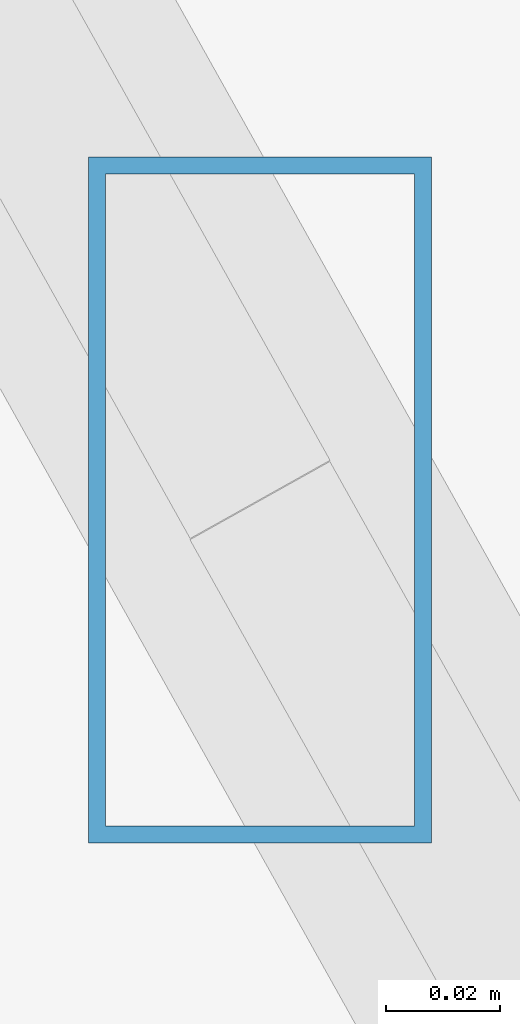
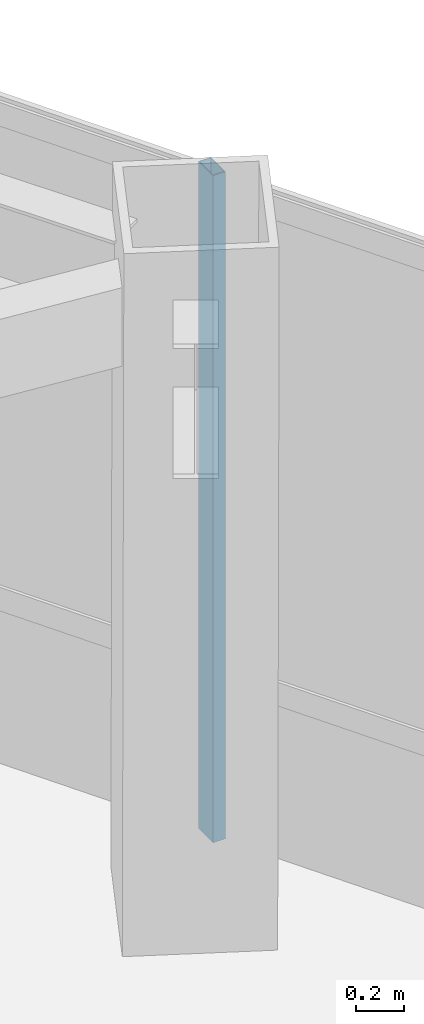
# One storey, part 23 of 46: 1 member, 1 element without a shape of its own.
"""IFC4 building model written with IfcOpenShell, lengths in metres."""

from ifc_helpers import new_model, si_unit, direction, frame, origin, origin_2d, place, context, subcontext, project, spatial, hollow_rectangle, extrude, source, transform, mapped, material, material_profile, profile_set, type_object, type_shapes, element, aggregate, save


model = new_model("IFC4")

# Units and contexts
model_context = context("Model", 3, precision=1e-05, world=origin(), true_north=direction((0.0, 1.0)))
body_context = subcontext(model_context, "Body", "Model", "MODEL_VIEW")
ifc_project = project(units=[si_unit("LENGTHUNIT", "METRE"), si_unit("AREAUNIT", "SQUARE_METRE"), si_unit("VOLUMEUNIT", "CUBIC_METRE"), si_unit("PLANEANGLEUNIT", "RADIAN"), si_unit("MASSUNIT", "GRAM", prefix="KILO")], contexts=[model_context])

# Site, building, storey
site_placement = place(None, origin())
site = spatial("IfcSite", under=ifc_project, at=site_placement, CompositionType="ELEMENT")
building_placement = place(site_placement, origin())
building = spatial("IfcBuilding", under=site, at=building_placement, Name="Caelisora Broadcast Tower", CompositionType="ELEMENT")
storey_placement = place(building_placement, frame((0.0, 0.0, 251.75)))
storey = spatial("IfcBuildingStorey", under=building, at=storey_placement, Name="L66", CompositionType="ELEMENT", Elevation=251.75)

# Curtain wall, member
ifc_material_1 = material(Name="Unitised Aluminium and Low-E Glass Curtain Wall", Category="glass")
curtain_wall_type = type_object("IfcCurtainWallType", Name="CW-Z5", PredefinedType="NOTDEFINED", material=ifc_material_1)
curtain_wall_placement = place(storey_placement, origin())
curtain_wall = element("IfcCurtainWall", 1, at=curtain_wall_placement, inside=storey, type_object=curtain_wall_type, Name="L66 curtain wall CW-Z5", PredefinedType="NOTDEFINED")
ifc_material_2 = material(Name="Aluminium 6063-T6 Anodised Terracotta Bronze", Category="aluminium")
ifc_material_profile = material_profile(ifc_material_2, hollow_rectangle(XDim=0.06005859375, YDim=0.1201171875, WallThickness=0.0029296875, at=origin_2d()), Name="Aluminium 6063-T6 Anodised Terracotta Bronze")
ifc_profile_set = profile_set([ifc_material_profile], Name="Aluminium 6063-T6 Anodised Terracotta Bronze")
member_type = type_object("IfcMemberType", Name="CWM-04", PredefinedType="MULLION", material=ifc_profile_set)
shared_shape = source(origin(), body_context, "Body", "SweptSolid", [
    extrude(hollow_rectangle(XDim=0.06005859375, YDim=0.1201171875, WallThickness=0.0029296875, at=origin_2d()), origin(), (0.0, 0.0, 1.0), 3.39990234375),
])
type_shapes(member_type, [shared_shape])
member_placement = place(storey_placement, frame((59.94580078125, 16.530029296875, 0.0), z_axis=(0.0, 0.0, 1.0), x_axis=(1.0, 0.0, 0.0)))
member = element("IfcMember", 2, at=member_placement, type_object=member_type, Name="L66-CW-B03 mullion #2", PredefinedType="MULLION", context=body_context, shape_type="MappedRepresentation", body=[
    mapped(shared_shape, transform((0.0, 0.0, 0.0), scale=1.0)),
])
aggregate(curtain_wall, [member])

save(model, "model.ifc")
